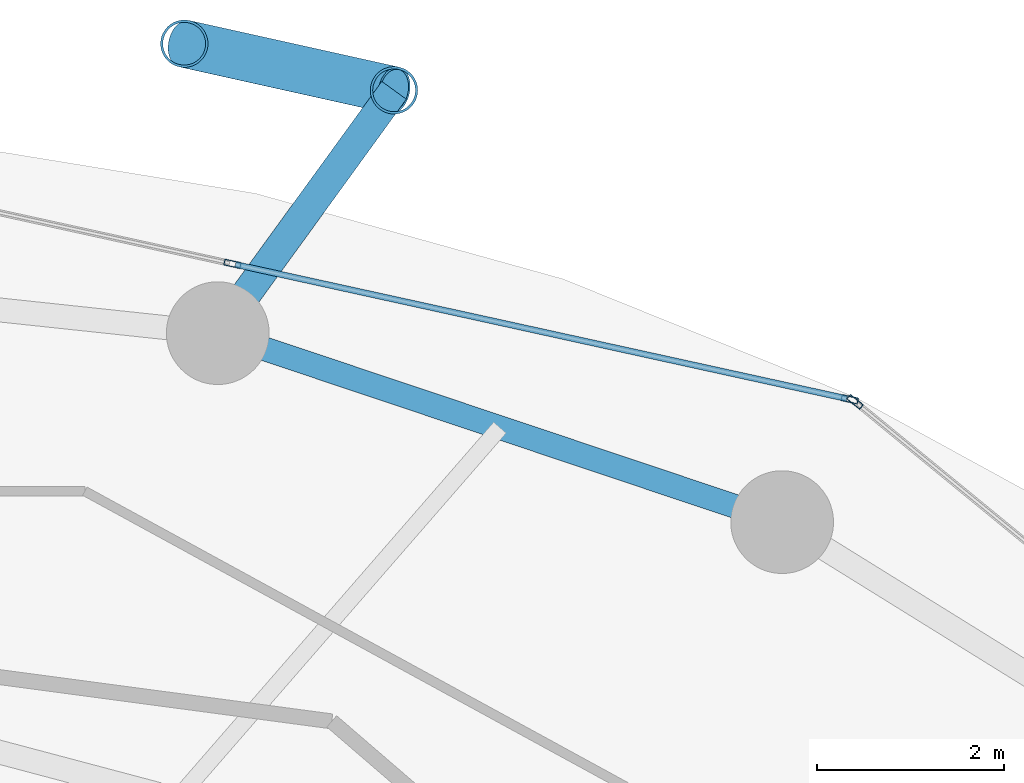
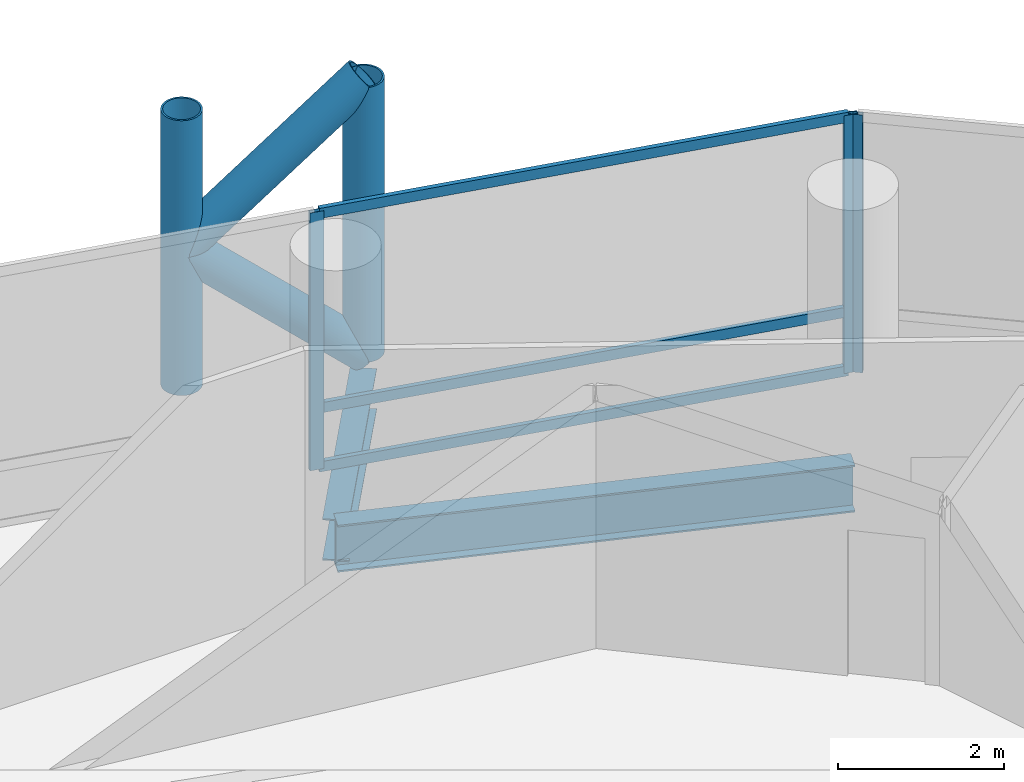
# One storey, part 18 of 25: 10 members, 2 beams, 2 elements without a shape of their own.
"""IFC4 building model written with IfcOpenShell, lengths in metres."""

from ifc_helpers import new_model, si_unit, direction, frame, origin, origin_2d, place, context, subcontext, project, spatial, hollow_rectangle, hollow_circle, i_section, extrude, material, layer, layer_set, material_profile, profile_set, type_object, element, aggregate, save


model = new_model("IFC4")

# Units and contexts
model_context = context("Model", 3, precision=1e-05, world=origin(), true_north=direction((0.0, 1.0)))
body_context = subcontext(model_context, "Body", "Model", "MODEL_VIEW")
ifc_project = project(units=[si_unit("LENGTHUNIT", "METRE"), si_unit("AREAUNIT", "SQUARE_METRE"), si_unit("VOLUMEUNIT", "CUBIC_METRE"), si_unit("PLANEANGLEUNIT", "RADIAN"), si_unit("MASSUNIT", "GRAM", prefix="KILO")], contexts=[model_context])

# Site, building, storey
site_placement = place(None, origin())
site = spatial("IfcSite", under=ifc_project, at=site_placement, CompositionType="ELEMENT")
building_placement = place(site_placement, origin())
building = spatial("IfcBuilding", under=site, at=building_placement, Name="Nuhasar Tower", CompositionType="ELEMENT")
storey_placement = place(building_placement, frame((0.0, 0.0, 61.5)))
storey = spatial("IfcBuildingStorey", under=building, at=storey_placement, Name="L14", CompositionType="ELEMENT", Elevation=61.5)

# Beams
ifc_material_1 = material(Name="Steel S355", Category="steel")
ifc_material_profile_1 = material_profile(ifc_material_1, i_section(OverallWidth=0.256103515625, OverallDepth=0.693115234375, WebThickness=0.014404296875, FlangeThickness=0.023681640625, at=origin_2d()), Name="W27X114")
ifc_profile_set_1 = profile_set([ifc_material_profile_1], Name="Steel S355")
beam_type_1 = type_object("IfcBeamType", Name="BM-RING-W27X114", PredefinedType="SPANDREL", material=ifc_profile_set_1)
beam_1_placement = place(storey_placement, frame((51.52490234375, 44.3369140625, -0.595947265625), z_axis=(-0.948249435708, 0.317526388949, 0.0), x_axis=(-0.317526388949, -0.948249435708, 0.0)))
element("IfcBeam", 1, at=beam_1_placement, inside=storey, type_object=beam_type_1, Name="L14 Perimeter Ring Spandrel 05", PredefinedType="SPANDREL", context=body_context, shape_type="SweptSolid", body=[
    extrude(i_section(OverallWidth=0.256103515625, OverallDepth=0.693115234375, WebThickness=0.014404296875, FlangeThickness=0.023681640625, at=origin_2d()), origin(), (0.0, 0.0, 1.0), 6.371826171875),
])
ifc_material_profile_2 = material_profile(ifc_material_1, i_section(OverallWidth=0.323974609375, OverallDepth=0.611083984375, WebThickness=0.0126953125, FlangeThickness=0.01904296875, at=origin_2d()), Name="W24X104")
ifc_profile_set_2 = profile_set([ifc_material_profile_2], Name="Steel S355")
beam_type_2 = type_object("IfcBeamType", Name="BM-TIE-W24X104", PredefinedType="BEAM", material=ifc_profile_set_2)
beam_2_placement = place(storey_placement, frame((45.48291015625, 46.360107421875, -0.555908203125), z_axis=(0.587439442414, 0.809268127073, 0.0), x_axis=(-0.809268127073, 0.587439442414, 0.0)))
element("IfcBeam", 2, at=beam_2_placement, inside=storey, type_object=beam_type_2, Name="L14 Exoskeleton Node Tie Beam 03", PredefinedType="BEAM", context=body_context, shape_type="SweptSolid", body=[
    extrude(i_section(OverallWidth=0.323974609375, OverallDepth=0.611083984375, WebThickness=0.0126953125, FlangeThickness=0.01904296875, at=origin_2d()), origin(), (0.0, 0.0, 1.0), 3.212646484375),
])

# Curtain wall, member
ifc_material_2 = material(Name="Aluminium 6063-T6", Category="aluminium")
ifc_layer = layer(ifc_material_2, 0.199951171875)
ifc_layer_set = layer_set([ifc_layer], Name="Aluminium 6063-T6")
curtain_wall_type = type_object("IfcCurtainWallType", Name="CW-Z1-OFF", PredefinedType="NOTDEFINED", material=ifc_layer_set)
curtain_wall_1_placement = place(storey_placement, origin())
curtain_wall_1 = element("IfcCurtainWall", 3, at=curtain_wall_1_placement, inside=storey, type_object=curtain_wall_type, Name="L14 Unitised Curtain Wall 02", PredefinedType="NOTDEFINED")
ifc_material_profile_3 = material_profile(ifc_material_2, hollow_rectangle(XDim=0.06494140625, YDim=0.179931640625, WallThickness=0.0048828125, at=origin_2d()), Name="CWM-2")
ifc_profile_set_3 = profile_set([ifc_material_profile_3], Name="Aluminium 6063-T6")
member_type_1 = type_object("IfcMemberType", Name="CW-MUL-S2", PredefinedType="MULLION", material=ifc_profile_set_3)
member_1_placement = place(storey_placement, frame((52.30517578125, 45.62451171875, 0.0), z_axis=(0.0, 0.0, 1.0), x_axis=(-0.633744593376, -0.773542364946, 0.0)))
member_1 = element("IfcMember", 4, at=member_1_placement, type_object=member_type_1, Name="CW-Z1 mullion 2", PredefinedType="MULLION", context=body_context, shape_type="SweptSolid", body=[
    extrude(hollow_rectangle(XDim=0.06494140625, YDim=0.179931640625, WallThickness=0.0048828125, at=origin_2d()), origin(), (0.0, 0.0, 1.0), 3.800048828125),
])
aggregate(curtain_wall_1, [member_1])

# Curtain wall, members
curtain_wall_2_placement = place(storey_placement, origin())
curtain_wall_2 = element("IfcCurtainWall", 5, at=curtain_wall_2_placement, inside=storey, type_object=curtain_wall_type, Name="L14 Unitised Curtain Wall 03", PredefinedType="NOTDEFINED")
member_2_placement = place(storey_placement, frame((52.248291015625, 45.65185546875, 0.0), z_axis=(0.0, 0.0, 1.0), x_axis=(-0.214398737637, -0.976746221544, 0.0)))
member_2 = element("IfcMember", 6, at=member_2_placement, type_object=member_type_1, Name="CW-Z1 mullion 1", PredefinedType="MULLION", context=body_context, shape_type="SweptSolid", body=[
    extrude(hollow_rectangle(XDim=0.06494140625, YDim=0.179931640625, WallThickness=0.0048828125, at=origin_2d()), origin(), (0.0, 0.0, 1.0), 3.800048828125),
])
member_3_placement = place(storey_placement, frame((45.639892578125, 47.1025390625, 0.0), z_axis=(0.0, 0.0, 1.0), x_axis=(-0.214398737637, -0.976746221544, 0.0)))
member_3 = element("IfcMember", 7, at=member_3_placement, type_object=member_type_1, Name="CW-Z1 mullion 2", PredefinedType="MULLION", context=body_context, shape_type="SweptSolid", body=[
    extrude(hollow_rectangle(XDim=0.06494140625, YDim=0.179931640625, WallThickness=0.0048828125, at=origin_2d()), origin(), (0.0, 0.0, 1.0), 3.800048828125),
])
ifc_material_profile_4 = material_profile(ifc_material_2, hollow_rectangle(XDim=0.06494140625, YDim=0.14990234375, WallThickness=0.00439453125, at=origin_2d()), Name="CWT-2")
ifc_profile_set_4 = profile_set([ifc_material_profile_4], Name="Aluminium 6063-T6")
member_type_2 = type_object("IfcMemberType", Name="CW-TRN-S2", PredefinedType="USERDEFINED", material=ifc_profile_set_4)
member_4_placement = place(storey_placement, frame((52.216552734375, 45.658935546875, 0.032470703125), z_axis=(-0.976749553792, 0.214383556196, 0.0), x_axis=(-0.214383556196, -0.976749553792, 0.0)))
member_4 = element("IfcMember", 8, at=member_4_placement, type_object=member_type_2, Name="CW-Z1 transom 1.1", ObjectType="TRANSOM", PredefinedType="USERDEFINED", context=body_context, shape_type="SweptSolid", body=[
    extrude(hollow_rectangle(XDim=0.06494140625, YDim=0.14990234375, WallThickness=0.00439453125, at=origin_2d()), origin(), (0.0, 0.0, 1.0), 6.70068359375),
])
member_5_placement = place(storey_placement, frame((52.216552734375, 45.658935546875, 0.89990234375), z_axis=(-0.976749553792, 0.214383556196, 0.0), x_axis=(-0.214383556196, -0.976749553792, 0.0)))
member_5 = element("IfcMember", 9, at=member_5_placement, type_object=member_type_2, Name="CW-Z1 transom 1.2", ObjectType="TRANSOM", PredefinedType="USERDEFINED", context=body_context, shape_type="SweptSolid", body=[
    extrude(hollow_rectangle(XDim=0.06494140625, YDim=0.14990234375, WallThickness=0.00439453125, at=origin_2d()), origin(), (0.0, 0.0, 1.0), 6.70068359375),
])
member_6_placement = place(storey_placement, frame((52.216552734375, 45.658935546875, 3.767578125), z_axis=(-0.976749553792, 0.214383556196, 0.0), x_axis=(-0.214383556196, -0.976749553792, 0.0)))
member_6 = element("IfcMember", 10, at=member_6_placement, type_object=member_type_2, Name="CW-Z1 transom 1.3", ObjectType="TRANSOM", PredefinedType="USERDEFINED", context=body_context, shape_type="SweptSolid", body=[
    extrude(hollow_rectangle(XDim=0.06494140625, YDim=0.14990234375, WallThickness=0.00439453125, at=origin_2d()), origin(), (0.0, 0.0, 1.0), 6.70068359375),
])
aggregate(curtain_wall_2, [member_2, member_3, member_4, member_5, member_6])

# Members
ifc_material_3 = material(Name="Steel S460", Category="steel")
ifc_material_profile_5 = material_profile(ifc_material_3, hollow_circle(Radius=0.25390625, WallThickness=0.025390625, at=origin_2d()), Name="HSS508X25.4")
ifc_profile_set_5 = profile_set([ifc_material_profile_5], Name="Steel S460")
member_type_3 = type_object("IfcMemberType", Name="EXO-BRONZE-508", PredefinedType="BRACE", material=ifc_profile_set_5)
for number, where, z_axis, x_axis, name in (
    (11, (47.3701171875, 48.9599609375, 0.0), (0.0, 0.0, 1.0), (1.0, 0.0, 0.0), "L14 Exoskeleton Chord Column EC-03A"),
    (12, (45.1240234375, 49.458984375, 0.0), (0.0, 0.0, 1.0), (1.0, 0.0, 0.0), "L14 Exoskeleton Chord Column EC-03B"),
):
    element("IfcMember", number, at=place(storey_placement, frame(where, z_axis=z_axis, x_axis=x_axis)), inside=storey, type_object=member_type_3, Name=name, PredefinedType="BRACE", context=body_context, shape_type="SweptSolid", body=[
        extrude(hollow_circle(Radius=0.25390625, WallThickness=0.025390625, at=origin_2d()), origin(), (0.0, 0.0, 1.0), 4.050048828125),
    ])
member_7_placement = place(storey_placement, frame((47.3701171875, 48.9599609375, 0.0), z_axis=(-0.732821471909, 0.162813813976, 0.660654487828), x_axis=(-0.216885517571, -0.97619704582, 0.0)))
element("IfcMember", 13, at=member_7_placement, inside=storey, type_object=member_type_3, Name="L14 Bronze Diagrid Brace W1-03", PredefinedType="BRACE", context=body_context, shape_type="SweptSolid", body=[
    extrude(hollow_circle(Radius=0.25390625, WallThickness=0.025390625, at=origin_2d()), origin(), (0.0, 0.0, 1.0), 3.06494140625),
])
member_8_placement = place(storey_placement, frame((45.1240234375, 49.458984375, 2.02490234375), z_axis=(0.732782908552, -0.162805246204, 0.660699372439), x_axis=(0.216885517571, 0.97619704582, 0.0)))
element("IfcMember", 14, at=member_8_placement, inside=storey, type_object=member_type_3, Name="L14 Bronze Diagrid Brace W2-03", PredefinedType="BRACE", context=body_context, shape_type="SweptSolid", body=[
    extrude(hollow_circle(Radius=0.25390625, WallThickness=0.025390625, at=origin_2d()), origin(), (0.0, 0.0, 1.0), 3.065185546875),
])

save(model, "model.ifc")
